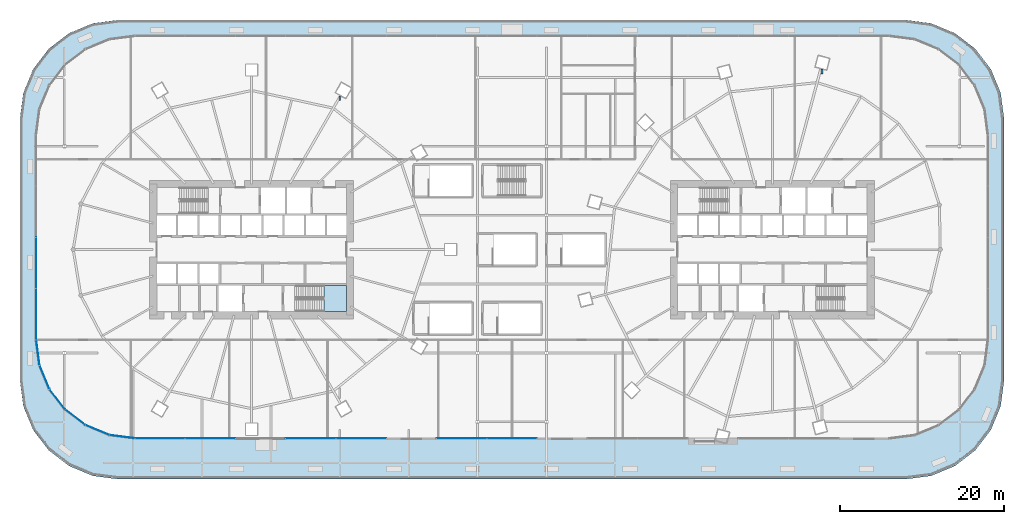
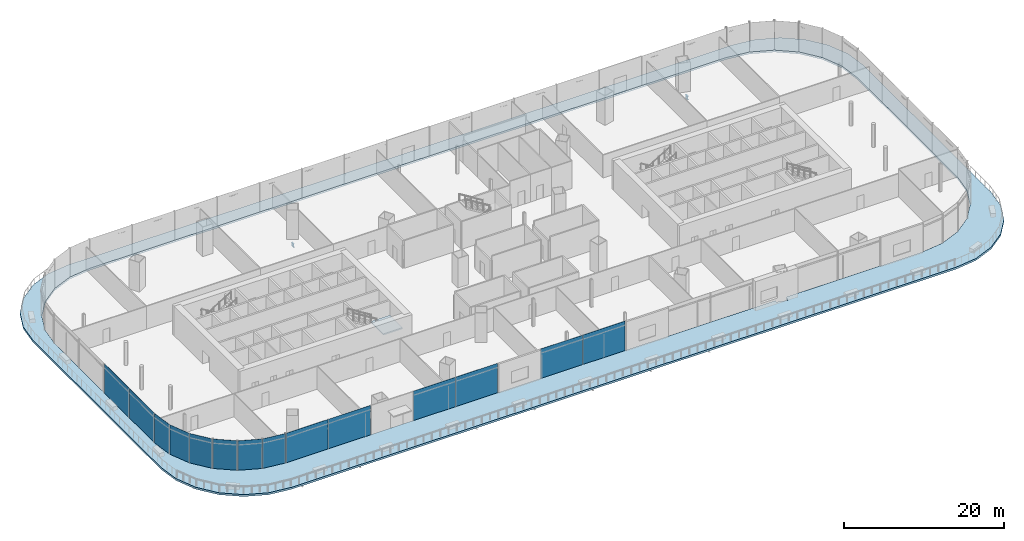
# One storey, part 29 of 49: 14 plates, 2 beams, 2 slabs, 2 elements without a shape of their own.
"""IFC4 building model written with IfcOpenShell, lengths in metres."""

from ifc_helpers import new_model, si_unit, direction, frame, origin, origin_2d, place, context, subcontext, project, spatial, polyline, rectangle, i_section, outline, extrude, material, layer, layer_set, material_profile, profile_set, type_object, element, aggregate, save


model = new_model("IFC4")

# Units and contexts
model_context = context("Model", 3, precision=1e-05, world=origin(), true_north=direction((0.0, 1.0)))
body_context = subcontext(model_context, "Body", "Model", "MODEL_VIEW")
ifc_project = project(units=[si_unit("LENGTHUNIT", "METRE"), si_unit("AREAUNIT", "SQUARE_METRE"), si_unit("VOLUMEUNIT", "CUBIC_METRE"), si_unit("PLANEANGLEUNIT", "RADIAN"), si_unit("MASSUNIT", "GRAM", prefix="KILO")], contexts=[model_context])

# Site, building, storey
site_placement = place(None, origin())
site = spatial("IfcSite", under=ifc_project, at=site_placement, CompositionType="ELEMENT")
building_placement = place(site_placement, origin())
building = spatial("IfcBuilding", under=site, at=building_placement, Name="Rimbun Link Towers", CompositionType="ELEMENT")
storey_placement = place(building_placement, frame((0.0, 0.0, 25.5)))
storey = spatial("IfcBuildingStorey", under=building, at=storey_placement, Name="L05", CompositionType="ELEMENT", Elevation=25.5)

# Beams
ifc_material_1 = material(Name="Steel S355J2", Category="steel")
ifc_material_profile = material_profile(ifc_material_1, i_section(OverallWidth=0.209228515625, OverallDepth=0.533203125, WebThickness=0.010009765625, FlangeThickness=0.015625, at=origin_2d()), Name="UB 533x210x92")
ifc_profile_set = profile_set([ifc_material_profile], Name="Steel S355J2")
beam_type = type_object("IfcBeamType", Name="UB 533x210x92", PredefinedType="BEAM", material=ifc_profile_set)
beam_1_placement = place(storey_placement, frame((-21.0, 18.157958984375, -0.56640625), z_axis=(0.0, 1.0, 0.0), x_axis=(-1.0, 0.0, 0.0)))
element("IfcBeam", 1, at=beam_1_placement, inside=storey, type_object=beam_type, Name="Grid beam L05 -21.0", PredefinedType="BEAM", context=body_context, shape_type="SweptSolid", body=[
    extrude(i_section(OverallWidth=0.209228515625, OverallDepth=0.533203125, WebThickness=0.010009765625, FlangeThickness=0.015625, at=origin_2d()), origin(), (0.0, 0.0, 1.0), 0.59326171875),
])
beam_2_placement = place(storey_placement, frame((37.800048828125, 21.398193359375, -0.56640625), z_axis=(0.0, 1.0, 0.0), x_axis=(-1.0, 0.0, 0.0)))
element("IfcBeam", 2, at=beam_2_placement, inside=storey, type_object=beam_type, Name="Grid beam L05 +37.8", PredefinedType="BEAM", context=body_context, shape_type="SweptSolid", body=[
    extrude(i_section(OverallWidth=0.209228515625, OverallDepth=0.533203125, WebThickness=0.010009765625, FlangeThickness=0.015625, at=origin_2d()), origin(), (0.0, 0.0, 1.0), 0.5966796875),
])

# Curtain wall, plates
ifc_material_2 = material(Name="Aluminium 6063-T6 and low-iron glass", Category="aluminium")
curtain_wall_type = type_object("IfcCurtainWallType", Name="CW3 podium shopfront", PredefinedType="NOTDEFINED", material=ifc_material_2)
curtain_wall_placement = place(storey_placement, origin())
curtain_wall = element("IfcCurtainWall", 3, at=curtain_wall_placement, inside=storey, type_object=curtain_wall_type, Name="CW3 L05 PD", PredefinedType="NOTDEFINED")
ifc_material_3 = material(Name="Clear toughened low-iron glass", Category="glass")
ifc_layer_1 = layer(ifc_material_3, 0.02392578125)
ifc_layer_set_1 = layer_set([ifc_layer_1], Name="CW3 panel Clear toughened low-iron glass 24")
plate_type = type_object("IfcPlateType", Name="CW3 panel Clear toughened low-iron glass 24", PredefinedType="CURTAIN_PANEL", material=ifc_layer_set_1)
plate_1_placement = place(storey_placement, frame((-58.011962890625, -1.625, 0.0), z_axis=(0.0, 0.0, 1.0), x_axis=(0.0, 1.0, 0.0)))
plate_1 = element("IfcPlate", 4, at=plate_1_placement, type_object=plate_type, Name="CW3 panel", PredefinedType="CURTAIN_PANEL", context=body_context, shape_type="SweptSolid", body=[
    extrude(rectangle(XDim=6.2099609375, YDim=0.02392578125, at=origin_2d()), origin(), (0.0, 0.0, 1.0), 4.5),
])
plate_2_placement = place(storey_placement, frame((-58.011962890625, -7.875, 0.0), z_axis=(0.0, 0.0, 1.0), x_axis=(0.0, 1.0, 0.0)))
plate_2 = element("IfcPlate", 5, at=plate_2_placement, type_object=plate_type, Name="CW3 panel", PredefinedType="CURTAIN_PANEL", context=body_context, shape_type="SweptSolid", body=[
    extrude(rectangle(XDim=6.2099609375, YDim=0.02392578125, at=origin_2d()), origin(), (0.0, 0.0, 1.0), 4.5),
])
plate_3_placement = place(storey_placement, frame((-57.807373046875, -12.554443359375, 0.0), z_axis=(0.0, 0.0, 1.0), x_axis=(-0.130530482602, 0.991444296525, 0.0)))
plate_3 = element("IfcPlate", 6, at=plate_3_placement, type_object=plate_type, Name="CW3 panel", PredefinedType="CURTAIN_PANEL", context=body_context, shape_type="SweptSolid", body=[
    extrude(rectangle(XDim=3.092529296875, YDim=0.02392578125, at=origin_2d()), origin(), (0.0, 0.0, 1.0), 4.5),
])
plate_4_placement = place(storey_placement, frame((-57.002685546875, -15.557373046875, 0.0), z_axis=(0.0, 0.0, 1.0), x_axis=(-0.382678829747, 0.923881438965, 0.0)))
plate_4 = element("IfcPlate", 7, at=plate_4_placement, type_object=plate_type, Name="CW3 panel", PredefinedType="CURTAIN_PANEL", context=body_context, shape_type="SweptSolid", body=[
    extrude(rectangle(XDim=3.0927734375, YDim=0.02392578125, at=origin_2d()), origin(), (0.0, 0.0, 1.0), 4.5),
])
plate_5_placement = place(storey_placement, frame((-55.4482421875, -18.25, 0.0), z_axis=(0.0, 0.0, 1.0), x_axis=(-0.608753841569, 0.793359162281, 0.0)))
plate_5 = element("IfcPlate", 8, at=plate_5_placement, type_object=plate_type, Name="CW3 panel", PredefinedType="CURTAIN_PANEL", context=body_context, shape_type="SweptSolid", body=[
    extrude(rectangle(XDim=3.092529296875, YDim=0.02392578125, at=origin_2d()), origin(), (0.0, 0.0, 1.0), 4.5),
])
plate_6_placement = place(storey_placement, frame((-53.25, -20.4482421875, 0.0), z_axis=(0.0, 0.0, 1.0), x_axis=(-0.793359162281, 0.608753841569, 0.0)))
plate_6 = element("IfcPlate", 9, at=plate_6_placement, type_object=plate_type, Name="CW3 panel", PredefinedType="CURTAIN_PANEL", context=body_context, shape_type="SweptSolid", body=[
    extrude(rectangle(XDim=3.092529296875, YDim=0.02392578125, at=origin_2d()), origin(), (0.0, 0.0, 1.0), 4.5),
])
plate_7_placement = place(storey_placement, frame((-50.557373046875, -22.002685546875, 0.0), z_axis=(0.0, 0.0, 1.0), x_axis=(-0.923881438965, 0.382678829747, 0.0)))
plate_7 = element("IfcPlate", 10, at=plate_7_placement, type_object=plate_type, Name="CW3 panel", PredefinedType="CURTAIN_PANEL", context=body_context, shape_type="SweptSolid", body=[
    extrude(rectangle(XDim=3.0927734375, YDim=0.02392578125, at=origin_2d()), origin(), (0.0, 0.0, 1.0), 4.5),
])
plate_8_placement = place(storey_placement, frame((-47.554443359375, -22.807373046875, 0.0), z_axis=(0.0, 0.0, 1.0), x_axis=(-0.991444296525, 0.130530482602, 0.0)))
plate_8 = element("IfcPlate", 11, at=plate_8_placement, type_object=plate_type, Name="CW3 panel", PredefinedType="CURTAIN_PANEL", context=body_context, shape_type="SweptSolid", body=[
    extrude(rectangle(XDim=3.092529296875, YDim=0.02392578125, at=origin_2d()), origin(), (0.0, 0.0, 1.0), 4.5),
])
plate_9_placement = place(storey_placement, frame((-42.933349609375, -23.011962890625, 0.0), z_axis=(0.0, 0.0, 1.0), x_axis=(-1.0, 0.0, 0.0)))
plate_9 = element("IfcPlate", 12, at=plate_9_placement, type_object=plate_type, Name="CW3 panel", PredefinedType="CURTAIN_PANEL", context=body_context, shape_type="SweptSolid", body=[
    extrude(rectangle(XDim=6.09326171875, YDim=0.02392578125, at=origin_2d()), origin(), (0.0, 0.0, 1.0), 4.5),
])
plate_10_placement = place(storey_placement, frame((-36.800048828125, -23.011962890625, 0.0), z_axis=(0.0, 0.0, 1.0), x_axis=(-1.0, 0.0, 0.0)))
plate_10 = element("IfcPlate", 13, at=plate_10_placement, type_object=plate_type, Name="CW3 panel", PredefinedType="CURTAIN_PANEL", context=body_context, shape_type="SweptSolid", body=[
    extrude(rectangle(XDim=6.09326171875, YDim=0.02392578125, at=origin_2d()), origin(), (0.0, 0.0, 1.0), 4.5),
])
plate_11_placement = place(storey_placement, frame((-24.533447265625, -23.011962890625, 0.0), z_axis=(0.0, 0.0, 1.0), x_axis=(-1.0, 0.0, 0.0)))
plate_11 = element("IfcPlate", 14, at=plate_11_placement, type_object=plate_type, Name="CW3 panel", PredefinedType="CURTAIN_PANEL", context=body_context, shape_type="SweptSolid", body=[
    extrude(rectangle(XDim=6.09326171875, YDim=0.02392578125, at=origin_2d()), origin(), (0.0, 0.0, 1.0), 4.5),
])
plate_12_placement = place(storey_placement, frame((-18.39990234375, -23.011962890625, 0.0), z_axis=(0.0, 0.0, 1.0), x_axis=(-1.0, 0.0, 0.0)))
plate_12 = element("IfcPlate", 15, at=plate_12_placement, type_object=plate_type, Name="CW3 panel", PredefinedType="CURTAIN_PANEL", context=body_context, shape_type="SweptSolid", body=[
    extrude(rectangle(XDim=6.09326171875, YDim=0.02392578125, at=origin_2d()), origin(), (0.0, 0.0, 1.0), 4.5),
])
plate_13_placement = place(storey_placement, frame((-6.13330078125, -23.011962890625, 0.0), z_axis=(0.0, 0.0, 1.0), x_axis=(-1.0, 0.0, 0.0)))
plate_13 = element("IfcPlate", 16, at=plate_13_placement, type_object=plate_type, Name="CW3 panel", PredefinedType="CURTAIN_PANEL", context=body_context, shape_type="SweptSolid", body=[
    extrude(rectangle(XDim=6.09326171875, YDim=0.02392578125, at=origin_2d()), origin(), (0.0, 0.0, 1.0), 4.5),
])
plate_14_placement = place(storey_placement, frame((0.0, -23.011962890625, 0.0), z_axis=(0.0, 0.0, 1.0), x_axis=(-1.0, 0.0, 0.0)))
plate_14 = element("IfcPlate", 17, at=plate_14_placement, type_object=plate_type, Name="CW3 panel", PredefinedType="CURTAIN_PANEL", context=body_context, shape_type="SweptSolid", body=[
    extrude(rectangle(XDim=6.09326171875, YDim=0.02392578125, at=origin_2d()), origin(), (0.0, 0.0, 1.0), 4.5),
])
aggregate(curtain_wall, [plate_1, plate_2, plate_3, plate_4, plate_5, plate_6, plate_7, plate_8, plate_9, plate_10, plate_11, plate_12, plate_13, plate_14])

# Slab
ifc_material_4 = material(Name="Concrete C40/50", Category="concrete")
ifc_layer_2 = layer(ifc_material_4, 0.300048828125)
ifc_layer_set_2 = layer_set([ifc_layer_2], Name="PODIUM TERRACE SLAB 300")
slab_type_1 = type_object("IfcSlabType", Name="PODIUM TERRACE SLAB 300", PredefinedType="FLOOR", material=ifc_layer_set_2)
slab_1_placement = place(storey_placement, frame((0.0, 0.0, -0.300048828125)))
element("IfcSlab", 18, at=slab_1_placement, inside=storey, type_object=slab_type_1, Name="Terrace slab L05", PredefinedType="FLOOR", context=body_context, shape_type="SweptSolid", body=[
    extrude(outline(polyline([(-51.105712890625, -27.591064453125), (-54.0, -26.392333984375), (-56.4853515625, -24.4853515625), (-58.392333984375, -22.0), (-59.591064453125, -19.105712890625), (-60.0, -16.0), (-60.0, 16.0), (-59.591064453125, 19.105712890625), (-58.392333984375, 22.0), (-56.4853515625, 24.4853515625), (-54.0, 26.392333984375), (-51.105712890625, 27.591064453125), (-48.0, 28.0), (48.0, 28.0), (51.105712890625, 27.591064453125), (54.0, 26.392333984375), (56.4853515625, 24.4853515625), (58.392333984375, 22.0), (59.591064453125, 19.105712890625), (60.0, 16.0), (60.0, -16.0), (59.591064453125, -19.105712890625), (58.392333984375, -22.0), (56.4853515625, -24.4853515625), (54.0, -26.392333984375), (51.105712890625, -27.591064453125), (48.0, -28.0), (-48.0, -28.0), (-51.105712890625, -27.591064453125)]), holes=[polyline([(-52.0, -21.392333984375), (-49.105712890625, -22.591064453125), (-46.0, -23.0), (24.810791015625, -23.0), (24.724609375, -23.32080078125), (26.173583984375, -23.708984375), (26.363525390625, -23.0), (46.0, -23.0), (49.105712890625, -22.591064453125), (52.0, -21.392333984375), (54.4853515625, -19.4853515625), (56.392333984375, -17.0), (57.591064453125, -14.105712890625), (58.0, -11.0), (58.0, 14.0), (57.591064453125, 17.105712890625), (56.392333984375, 20.0), (54.4853515625, 22.4853515625), (52.0, 24.392333984375), (49.105712890625, 25.591064453125), (46.0, 26.0), (-46.0, 26.0), (-49.105712890625, 25.591064453125), (-52.0, 24.392333984375), (-54.4853515625, 22.4853515625), (-56.392333984375, 20.0), (-57.591064453125, 17.105712890625), (-58.0, 14.0), (-58.0, -11.0), (-57.591064453125, -14.105712890625), (-56.392333984375, -17.0), (-54.4853515625, -19.4853515625), (-52.0, -21.392333984375)])]), origin(), (0.0, 0.0, 1.0), 0.300048828125),
])

# Stair, slab
ifc_material_5 = material(Name="Concrete C40/50", Category="concrete")
stair_type = type_object("IfcStairType", Name="Exit stair 4500 rise", PredefinedType="HALF_TURN_STAIR", material=ifc_material_5)
stair_placement = place(storey_placement, origin())
stair = element("IfcStair", 19, at=stair_placement, inside=storey, type_object=stair_type, Name="L05 EXIT STAIR B", PredefinedType="HALF_TURN_STAIR")
ifc_material_6 = material(Name="Concrete C40/50", Category="concrete")
ifc_layer_3 = layer(ifc_material_6, 0.199951171875)
ifc_layer_set_3 = layer_set([ifc_layer_3], Name="Stair landing")
slab_type_2 = type_object("IfcSlabType", Name="Stair landing", PredefinedType="LANDING", material=ifc_layer_set_3)
slab_2_placement = place(storey_placement, frame((0.0, 0.0, 2.050048828125)))
slab_2 = element("IfcSlab", 20, at=slab_2_placement, type_object=slab_type_2, Name="ST2 landing 1", PredefinedType="LANDING", context=body_context, shape_type="SweptSolid", body=[
    extrude(outline(polyline([(-22.93994140625, -7.550048828125), (-20.199951171875, -7.550048828125), (-20.199951171875, -4.39990234375), (-22.93994140625, -4.39990234375), (-22.93994140625, -7.550048828125)])), origin(), (0.0, 0.0, 1.0), 0.199951171875),
])
aggregate(stair, [slab_2])

save(model, "model.ifc")
